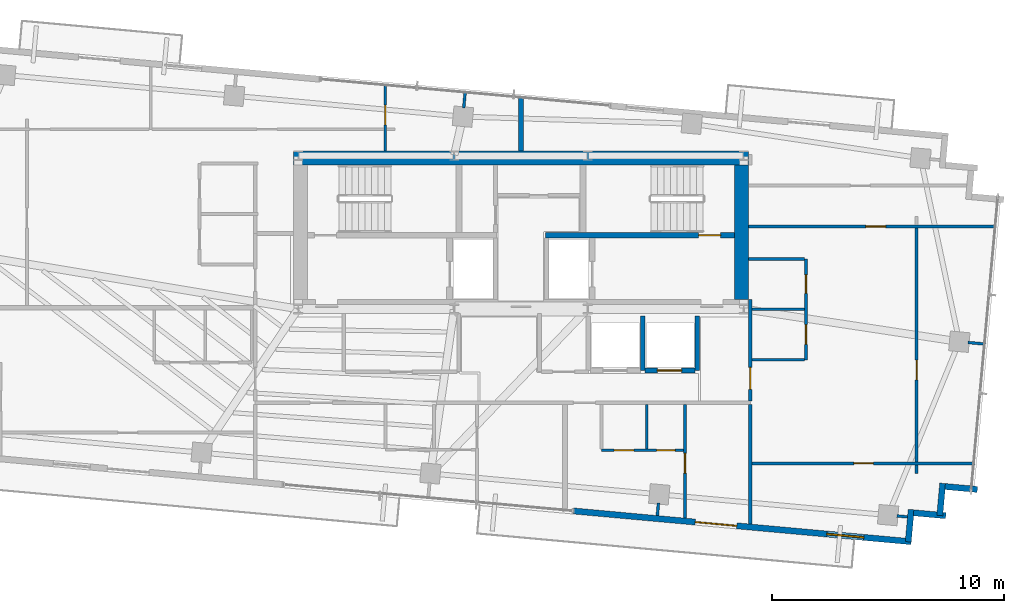
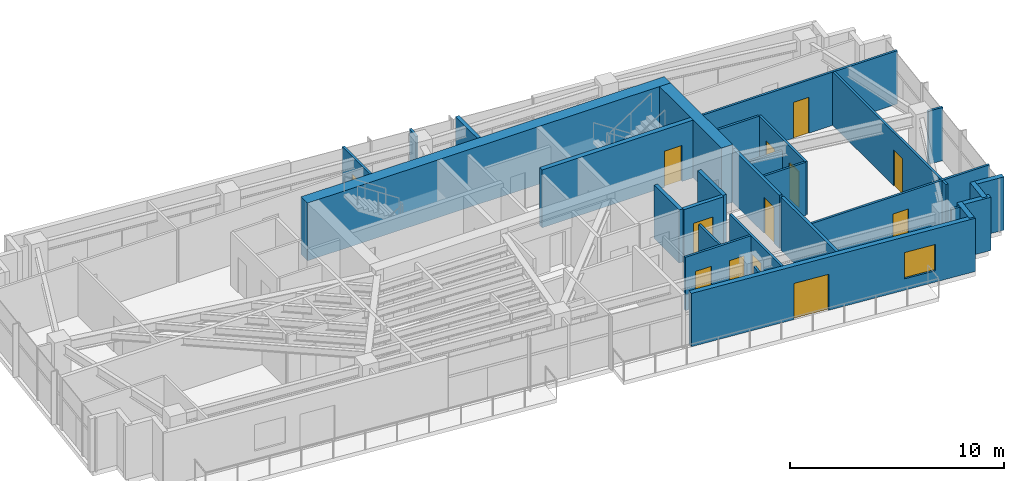
# One storey, part 18 of 22: 30 walls, 13 doors, 1 window, 14 openings.
"""IFC4 building model written with IfcOpenShell, lengths in metres."""

from ifc_helpers import new_model, si_unit, direction, frame, frame_2d, origin, place, context, subcontext, project, spatial, rectangle, extrude, source, transform, mapped, material, layer, layer_set, type_object, type_shapes, element, fill, save


model = new_model("IFC4")

# Units and contexts
model_context = context("Model", 3, precision=1e-05, world=origin(), true_north=direction((0.0, 1.0)))
body_context = subcontext(model_context, "Body", "Model", "MODEL_VIEW")
ifc_project = project(units=[si_unit("LENGTHUNIT", "METRE"), si_unit("AREAUNIT", "SQUARE_METRE"), si_unit("VOLUMEUNIT", "CUBIC_METRE"), si_unit("PLANEANGLEUNIT", "RADIAN"), si_unit("MASSUNIT", "GRAM", prefix="KILO")], contexts=[model_context])

# Site, building, storey
site_placement = place(None, origin())
site = spatial("IfcSite", under=ifc_project, at=site_placement, CompositionType="ELEMENT")
building_placement = place(site_placement, origin())
building = spatial("IfcBuilding", under=site, at=building_placement, Name="Astriad Promenade Condominiums", CompositionType="ELEMENT")
storey_placement = place(building_placement, frame((0.0, 0.0, 226.5)))
storey = spatial("IfcBuildingStorey", under=building, at=storey_placement, Name="L65", CompositionType="ELEMENT", Elevation=226.5)

# Walls
ifc_material_1 = material(Name="Concrete C50/60", Category="concrete")
ifc_layer_1 = layer(ifc_material_1, 0.60009765625)
ifc_layer_set_1 = layer_set([ifc_layer_1], Name="Concrete C50/60")
wall_type_1 = type_object("IfcWallType", Name="CW-SHEAR-600", PredefinedType="SHEAR", material=ifc_layer_set_1)
wall_1_placement = place(storey_placement, frame((26.199951171875, 23.89990234375, 0.0), z_axis=(0.0, 0.0, 1.0), x_axis=(1.0, 0.0, 0.0)))
element("IfcWall", 1, at=wall_1_placement, inside=storey, type_object=wall_type_1, Name="CW-CORE-N-L65", PredefinedType="SHEAR", context=body_context, shape_type="SweptSolid", body=[
    extrude(rectangle(XDim=19.60009765625, YDim=0.60009765625, at=frame_2d((9.800048828125, 0.0))), origin(), (0.0, 0.0, 1.0), 3.300048828125),
])
wall_2_placement = place(storey_placement, frame((45.5, 17.802001953125, 0.0), z_axis=(0.0, 0.0, 1.0), x_axis=(0.0, 1.0, 0.0)))
element("IfcWall", 2, at=wall_2_placement, inside=storey, type_object=wall_type_1, Name="CW-CORE-E-L65", PredefinedType="SHEAR", context=body_context, shape_type="SweptSolid", body=[
    extrude(rectangle(XDim=5.7958984375, YDim=0.60009765625, at=frame_2d((2.89794921875, 0.0))), origin(), (0.0, 0.0, 1.0), 3.300048828125),
])

# Wall, opening, door
ifc_layer_2 = layer(ifc_material_1, 0.25)
ifc_layer_set_2 = layer_set([ifc_layer_2], Name="Concrete C50/60")
wall_type_2 = type_object("IfcWallType", Name="WALL-CORE-INT-250", PredefinedType="SOLIDWALL", material=ifc_layer_set_2)
wall_3_placement = place(storey_placement, frame((37.050048828125, 20.574951171875, 0.0), z_axis=(0.0, 0.0, 1.0), x_axis=(1.0, 0.0, 0.0)))
wall_3 = element("IfcWall", 3, at=wall_3_placement, inside=storey, type_object=wall_type_2, Name="CW-INT-H2-L65", PredefinedType="SOLIDWALL", context=body_context, shape_type="SweptSolid", body=[
    extrude(rectangle(XDim=8.14794921875, YDim=0.25, at=frame_2d((4.073974609375, 0.0))), origin(), (0.0, 0.0, 1.0), 3.300048828125),
])
opening_1_placement = place(wall_3_placement, frame((6.60009765625, 0.0, 0.0)))
opening_1 = element("IfcOpeningElement", 4, at=opening_1_placement, cuts=wall_3, Name="Opening FD90-ST-095", PredefinedType="OPENING", context=body_context, shape_type="SweptSolid", body=[
    extrude(rectangle(XDim=0.949951171875, YDim=2.06005859375, at=frame_2d((0.47509765625, 1.030029296875))), frame((0.0, 0.135009765625, 0.0), z_axis=(0.0, -1.0, 0.0), x_axis=(1.0, 0.0, 0.0)), (0.0, 0.0, 1.0), 0.27001953125),
])
ifc_material_2 = material(Name="Fire-Rated Hollow Metal Stair Door")
door_type_1 = type_object("IfcDoorType", Name="FD90-ST-095", OperationType="NOTDEFINED", PredefinedType="DOOR", material=ifc_material_2)
shared_shape_1 = source(origin(), body_context, "Body", "SweptSolid", [
    extrude(rectangle(XDim=0.949951171875, YDim=2.06005859375, at=frame_2d((0.47509765625, 1.030029296875))), frame((0.0, 0.02490234375, 0.0), z_axis=(0.0, -1.0, 0.0), x_axis=(1.0, 0.0, 0.0)), (0.0, 0.0, 1.0), 0.050048828125),
])
type_shapes(door_type_1, [shared_shape_1])
door_1_placement = place(opening_1_placement, origin())
door_1 = element("IfcDoor", 5, at=door_1_placement, inside=storey, type_object=door_type_1, Name="D-ST2-L65", OperationType="SINGLE_SWING_RIGHT", OverallHeight=2.06005859375, OverallWidth=0.949951171875, PredefinedType="DOOR", context=body_context, shape_type="MappedRepresentation", body=[
    mapped(shared_shape_1, transform((0.0, 0.0, 0.0), scale=1.0)),
])
fill(opening_1, door_1)

# Wall
ifc_material_3 = material(Name="Fire-Rated Gypsum Partition")
ifc_layer_3 = layer(ifc_material_3, 0.159912109375)
ifc_layer_set_3 = layer_set([ifc_layer_3], Name="Fire-Rated Gypsum Partition")
wall_type_3 = type_object("IfcWallType", Name="WALL-CORR-160", PredefinedType="PARTITIONING", material=ifc_layer_set_3)
wall_4_placement = place(storey_placement, frame((45.8798828125, 8.135986328125, 0.0), z_axis=(0.0, 0.0, 1.0), x_axis=(0.0, 1.0, 0.0)))
element("IfcWall", 6, at=wall_4_placement, inside=storey, type_object=wall_type_3, Name="PT-COR-E-L65", PredefinedType="PARTITIONING", context=body_context, shape_type="SweptSolid", body=[
    extrude(rectangle(XDim=5.14208984375, YDim=0.159912109375, at=frame_2d((2.571044921875, 0.0))), origin(), (0.0, 0.0, 1.0), 3.0400390625),
])

# Wall, opening, door
wall_5_placement = place(storey_placement, frame((45.8798828125, 13.44189453125, 0.0), z_axis=(0.0, 0.0, 1.0), x_axis=(0.0, 1.0, 0.0)))
wall_5 = element("IfcWall", 7, at=wall_5_placement, inside=storey, type_object=wall_type_3, Name="PT-COR-E-L65-S2", PredefinedType="PARTITIONING", context=body_context, shape_type="SweptSolid", body=[
    extrude(rectangle(XDim=4.360107421875, YDim=0.159912109375, at=frame_2d((2.18017578125, 0.0))), origin(), (0.0, 0.0, 1.0), 3.0400390625),
])
opening_2_placement = place(wall_5_placement, frame((0.492919921875, 0.0, 0.0)))
opening_2 = element("IfcOpeningElement", 8, at=opening_2_placement, cuts=wall_5, Name="Opening FD60-APT-095", PredefinedType="OPENING", context=body_context, shape_type="SweptSolid", body=[
    extrude(rectangle(XDim=0.949951171875, YDim=2.06005859375, at=frame_2d((0.47509765625, 1.030029296875))), frame((0.0, 0.08984375, 0.0), z_axis=(0.0, -1.0, 0.0), x_axis=(1.0, 0.0, 0.0)), (0.0, 0.0, 1.0), 0.179931640625),
])
ifc_material_4 = material(Name="Solid-Core Acoustic Timber Residence Entry Door", Category="wood")
door_type_2 = type_object("IfcDoorType", Name="FD60-APT-095", OperationType="NOTDEFINED", PredefinedType="DOOR", material=ifc_material_4)
shared_shape_2 = source(origin(), body_context, "Body", "SweptSolid", [
    extrude(rectangle(XDim=0.949951171875, YDim=2.06005859375, at=frame_2d((0.47509765625, 1.030029296875))), frame((0.0, 0.02490234375, 0.0), z_axis=(0.0, -1.0, 0.0), x_axis=(1.0, 0.0, 0.0)), (0.0, 0.0, 1.0), 0.050048828125),
])
type_shapes(door_type_2, [shared_shape_2])
door_2_placement = place(opening_2_placement, origin())
door_2 = element("IfcDoor", 9, at=door_2_placement, inside=storey, type_object=door_type_2, Name="D-ENT-L65-E1", OperationType="SINGLE_SWING_LEFT", OverallHeight=2.06005859375, OverallWidth=0.949951171875, PredefinedType="DOOR", context=body_context, shape_type="MappedRepresentation", body=[
    mapped(shared_shape_2, transform((0.0, 0.0, 0.0), scale=1.0)),
])
fill(opening_2, door_2)

# Walls
ifc_material_5 = material(Name="Acoustic Double-Stud Gypsum Partition")
ifc_layer_4 = layer(ifc_material_5, 0.199951171875)
ifc_layer_set_4 = layer_set([ifc_layer_4], Name="Acoustic Double-Stud Gypsum Partition")
wall_type_4 = type_object("IfcWallType", Name="WALL-DEMISING-200", PredefinedType="PARTITIONING", material=ifc_layer_set_4)
wall_6_placement = place(storey_placement, frame((36.0, 24.201904296875, 0.0), z_axis=(0.0, 0.0, 1.0), x_axis=(0.0, 1.0, 0.0)))
element("IfcWall", 10, at=wall_6_placement, inside=storey, type_object=wall_type_4, Name="PT-NC-MID-L65", PredefinedType="PARTITIONING", context=body_context, shape_type="SweptSolid", body=[
    extrude(rectangle(XDim=2.36328125, YDim=0.199951171875, at=frame_2d((1.181640625, 0.0))), origin(), (0.0, 0.0, 1.0), 3.0400390625),
])
ifc_material_6 = material(Name="Precast concrete C50/60", Category="concrete")
ifc_layer_5 = layer(ifc_material_6, 0.260009765625)
ifc_layer_set_5 = layer_set([ifc_layer_5], Name="Precast concrete C50/60")
wall_type_5 = type_object("IfcWallType", Name="WALL-EXT-TWR-260", PredefinedType="STANDARD", material=ifc_layer_set_5)
for number, where, z_axis, x_axis, name in (
    (11, (55.664794921875, 9.623291015625, 0.0), (0.0, 0.0, 1.0), (-0.995881721538, 0.090661991521, 0.0), "W-SER-L65-14"),
    (12, (54.1728515625, 9.889404296875, 0.0), (0.0, 0.0, 1.0), (-0.090661991521, -0.995881721538, 0.0), "W-SER-L65-15"),
):
    element("IfcWall", number, at=place(storey_placement, frame(where, z_axis=z_axis, x_axis=x_axis)), inside=storey, type_object=wall_type_5, Name=name, PredefinedType="STANDARD", context=body_context, shape_type="SweptSolid", body=[
        extrude(rectangle(XDim=1.39501953125, YDim=0.260009765625, at=frame_2d((0.697509765625, 0.0))), origin(), (0.0, 0.0, 1.0), 3.0400390625),
    ])
for number, where, z_axis, x_axis, name in (
    (13, (54.306884765625, 8.49169921875, 0.0), (0.0, 0.0, 1.0), (-0.995883159782, 0.090646191665, 0.0), "W-SER-L65-16"),
    (14, (52.814697265625, 8.758056640625, 0.0), (0.0, 0.0, 1.0), (-0.090646191665, -0.995883159782, 0.0), "W-SER-L65-17"),
):
    element("IfcWall", number, at=place(storey_placement, frame(where, z_axis=z_axis, x_axis=x_axis)), inside=storey, type_object=wall_type_5, Name=name, PredefinedType="STANDARD", context=body_context, shape_type="SweptSolid", body=[
        extrude(rectangle(XDim=1.395263671875, YDim=0.260009765625, at=frame_2d((0.69775390625, 0.0))), origin(), (0.0, 0.0, 1.0), 3.0400390625),
    ])

# Wall, openings, door, window
wall_7_placement = place(storey_placement, frame((52.819091796875, 7.371826171875, 0.0), z_axis=(0.0, 0.0, 1.0), x_axis=(-0.995884447498, 0.090632043071, 0.0)))
wall_7 = element("IfcWall", 15, at=wall_7_placement, inside=storey, type_object=wall_type_5, Name="W-EXT-L65-S1", PredefinedType="STANDARD", context=body_context, shape_type="SweptSolid", body=[
    extrude(rectangle(XDim=14.6298828125, YDim=0.260009765625, at=frame_2d((7.31494140625, 0.0))), origin(), (0.0, 0.0, 1.0), 3.0400390625),
])
opening_3_placement = place(wall_7_placement, frame((7.549072265625, 0.0, 0.0)))
opening_3 = element("IfcOpeningElement", 16, at=opening_3_placement, cuts=wall_7, Name="Opening BD-1822-SLD", PredefinedType="OPENING", context=body_context, shape_type="SweptSolid", body=[
    extrude(rectangle(XDim=1.800048828125, YDim=2.06005859375, at=frame_2d((0.89990234375, 1.030029296875))), frame((0.0, 0.139892578125, 0.0), z_axis=(0.0, -1.0, 0.0), x_axis=(1.0, 0.0, 0.0)), (0.0, 0.0, 1.0), 0.280029296875),
])
opening_4_placement = place(wall_7_placement, frame((2.050048828125, 0.0, 0.64990234375)))
opening_4 = element("IfcOpeningElement", 17, at=opening_4_placement, cuts=wall_7, Name="Opening WIN-TWR-1620", PredefinedType="OPENING", context=body_context, shape_type="SweptSolid", body=[
    extrude(rectangle(XDim=1.60009765625, YDim=1.5, at=frame_2d((0.800048828125, 0.75))), frame((0.0, 0.139892578125, 0.0), z_axis=(0.0, -1.0, 0.0), x_axis=(1.0, 0.0, 0.0)), (0.0, 0.0, 1.0), 0.280029296875),
])
ifc_material_7 = material(Name="Thermally Broken Aluminium Sliding Balcony Door", Category="aluminium")
door_type_3 = type_object("IfcDoorType", Name="BD-1822-SLD", OperationType="NOTDEFINED", PredefinedType="DOOR", material=ifc_material_7)
shared_shape_3 = source(origin(), body_context, "Body", "SweptSolid", [
    extrude(rectangle(XDim=1.800048828125, YDim=2.06005859375, at=frame_2d((0.89990234375, 1.030029296875))), frame((0.0, 0.02490234375, 0.0), z_axis=(0.0, -1.0, 0.0), x_axis=(1.0, 0.0, 0.0)), (0.0, 0.0, 1.0), 0.050048828125),
])
type_shapes(door_type_3, [shared_shape_3])
door_3_placement = place(opening_3_placement, origin())
door_3 = element("IfcDoor", 18, at=door_3_placement, inside=storey, type_object=door_type_3, Name="BD-L65-SE", OperationType="SLIDING_TO_RIGHT", OverallHeight=2.06005859375, OverallWidth=1.800048828125, PredefinedType="DOOR", context=body_context, shape_type="MappedRepresentation", body=[
    mapped(shared_shape_3, transform((0.0, 0.0, 0.0), scale=1.0)),
])
fill(opening_3, door_3)
ifc_material_8 = material(Name="Dark Tinted Triple-Glazed Aluminium Window", Category="aluminium")
window_type = type_object("IfcWindowType", Name="WIN-TWR-1620", PartitioningType="SINGLE_PANEL", PredefinedType="WINDOW", material=ifc_material_8)
shared_shape_4 = source(origin(), body_context, "Body", "SweptSolid", [
    extrude(rectangle(XDim=1.60009765625, YDim=1.5, at=frame_2d((0.800048828125, 0.75))), frame((0.0, 0.030029296875, 0.0), z_axis=(0.0, -1.0, 0.0), x_axis=(1.0, 0.0, 0.0)), (0.0, 0.0, 1.0), 0.06005859375),
])
type_shapes(window_type, [shared_shape_4])
window_placement = place(opening_4_placement, origin())
window = element("IfcWindow", 19, at=window_placement, inside=storey, type_object=window_type, Name="WIN-L65-SE", OverallHeight=1.5, OverallWidth=1.60009765625, PartitioningType="SINGLE_PANEL", PredefinedType="WINDOW", context=body_context, shape_type="MappedRepresentation", body=[
    mapped(shared_shape_4, transform((0.0, 0.0, 0.0), scale=1.0)),
])
fill(opening_4, window)

# Wall, opening, door
ifc_material_9 = material(Name="Acoustic Metal-Stud Gypsum Partition")
ifc_layer_6 = layer(ifc_material_9, 0.1201171875)
ifc_layer_set_6 = layer_set([ifc_layer_6], Name="Acoustic Metal-Stud Gypsum Partition")
wall_type_6 = type_object("IfcWallType", Name="WALL-PART-120", PredefinedType="PARTITIONING", material=ifc_layer_set_6)
wall_8_placement = place(storey_placement, frame((43.068115234375, 8.391845703125, 0.0), z_axis=(0.0, 0.0, 1.0), x_axis=(0.0, 1.0, 0.0)))
wall_8 = element("IfcWall", 20, at=wall_8_placement, inside=storey, type_object=wall_type_6, Name="PT-L65-S2-V1", PredefinedType="PARTITIONING", context=body_context, shape_type="SweptSolid", body=[
    extrude(rectangle(XDim=4.88623046875, YDim=0.1201171875, at=frame_2d((2.443115234375, 0.0))), origin(), (0.0, 0.0, 1.0), 3.0400390625),
])
opening_5_placement = place(wall_8_placement, frame((1.93994140625, 0.0, 0.0)))
opening_5 = element("IfcOpeningElement", 21, at=opening_5_placement, cuts=wall_8, Name="Opening D-INT-085", PredefinedType="OPENING", context=body_context, shape_type="SweptSolid", body=[
    extrude(rectangle(XDim=0.85009765625, YDim=2.050048828125, at=frame_2d((0.425048828125, 1.02490234375))), frame((0.0, 0.070068359375, 0.0), z_axis=(0.0, -1.0, 0.0), x_axis=(1.0, 0.0, 0.0)), (0.0, 0.0, 1.0), 0.14013671875),
])
ifc_material_10 = material(Name="Painted Solid-Core Timber Room Door", Category="wood")
door_type_4 = type_object("IfcDoorType", Name="D-INT-085", OperationType="NOTDEFINED", PredefinedType="DOOR", material=ifc_material_10)
shared_shape_5 = source(origin(), body_context, "Body", "SweptSolid", [
    extrude(rectangle(XDim=0.85009765625, YDim=2.050048828125, at=frame_2d((0.425048828125, 1.02490234375))), frame((0.0, 0.02490234375, 0.0), z_axis=(0.0, -1.0, 0.0), x_axis=(1.0, 0.0, 0.0)), (0.0, 0.0, 1.0), 0.050048828125),
])
type_shapes(door_type_4, [shared_shape_5])
door_4_placement = place(opening_5_placement, origin())
door_4 = element("IfcDoor", 22, at=door_4_placement, inside=storey, type_object=door_type_4, Name="D-BD1-L65-S2", OperationType="SINGLE_SWING_RIGHT", OverallHeight=2.050048828125, OverallWidth=0.85009765625, PredefinedType="DOOR", context=body_context, shape_type="MappedRepresentation", body=[
    mapped(shared_shape_5, transform((0.0, 0.0, 0.0), scale=1.0)),
])
fill(opening_5, door_4)

# Wall, openings, doors
wall_9_placement = place(storey_placement, frame((39.468017578125, 11.31005859375, 0.0), z_axis=(0.0, 0.0, 1.0), x_axis=(1.0, 0.0, 0.0)))
wall_9 = element("IfcWall", 23, at=wall_9_placement, inside=storey, type_object=wall_type_6, Name="PT-L65-S2-PS", PredefinedType="PARTITIONING", context=body_context, shape_type="SweptSolid", body=[
    extrude(rectangle(XDim=3.5380859375, YDim=0.1201171875, at=frame_2d((1.76904296875, 0.0))), origin(), (0.0, 0.0, 1.0), 3.0400390625),
])
opening_6_placement = place(wall_9_placement, frame((0.550048828125, 0.0, 0.0)))
opening_6 = element("IfcOpeningElement", 24, at=opening_6_placement, cuts=wall_9, Name="Opening D-INT-085", PredefinedType="OPENING", context=body_context, shape_type="SweptSolid", body=[
    extrude(rectangle(XDim=0.85009765625, YDim=2.050048828125, at=frame_2d((0.425048828125, 1.02490234375))), frame((0.0, 0.070068359375, 0.0), z_axis=(0.0, -1.0, 0.0), x_axis=(1.0, 0.0, 0.0)), (0.0, 0.0, 1.0), 0.14013671875),
])
opening_7_placement = place(wall_9_placement, frame((2.375, 0.0, 0.0)))
opening_7 = element("IfcOpeningElement", 25, at=opening_7_placement, cuts=wall_9, Name="Opening D-WET-080", PredefinedType="OPENING", context=body_context, shape_type="SweptSolid", body=[
    extrude(rectangle(XDim=0.800048828125, YDim=2.02001953125, at=frame_2d((0.39990234375, 1.010009765625))), frame((0.0, 0.070068359375, 0.0), z_axis=(0.0, -1.0, 0.0), x_axis=(1.0, 0.0, 0.0)), (0.0, 0.0, 1.0), 0.14013671875),
])
ifc_material_11 = material(Name="Moisture-Resistant Timber Bathroom Door", Category="wood")
door_type_5 = type_object("IfcDoorType", Name="D-WET-080", OperationType="NOTDEFINED", PredefinedType="DOOR", material=ifc_material_11)
shared_shape_6 = source(origin(), body_context, "Body", "SweptSolid", [
    extrude(rectangle(XDim=0.800048828125, YDim=2.02001953125, at=frame_2d((0.39990234375, 1.010009765625))), frame((0.0, 0.02490234375, 0.0), z_axis=(0.0, -1.0, 0.0), x_axis=(1.0, 0.0, 0.0)), (0.0, 0.0, 1.0), 0.050048828125),
])
type_shapes(door_type_5, [shared_shape_6])
door_5_placement = place(opening_7_placement, origin())
door_5 = element("IfcDoor", 26, at=door_5_placement, inside=storey, type_object=door_type_5, Name="D-BTH-L65-S2", OperationType="SINGLE_SWING_RIGHT", OverallHeight=2.02001953125, OverallWidth=0.800048828125, PredefinedType="DOOR", context=body_context, shape_type="MappedRepresentation", body=[
    mapped(shared_shape_6, transform((0.0, 0.0, 0.0), scale=1.0)),
])
fill(opening_7, door_5)
door_6_placement = place(opening_6_placement, origin())
door_6 = element("IfcDoor", 27, at=door_6_placement, inside=storey, type_object=door_type_4, Name="D-KIT-L65-S2", OperationType="SINGLE_SWING_LEFT", OverallHeight=2.050048828125, OverallWidth=0.85009765625, PredefinedType="DOOR", context=body_context, shape_type="MappedRepresentation", body=[
    mapped(shared_shape_5, transform((0.0, 0.0, 0.0), scale=1.0)),
])
fill(opening_6, door_6)

# Wall
wall_10_placement = place(storey_placement, frame((41.41796875, 11.3720703125, 0.0), z_axis=(0.0, 0.0, 1.0), x_axis=(0.0, 1.0, 0.0)))
element("IfcWall", 28, at=wall_10_placement, inside=storey, type_object=wall_type_6, Name="PT-L65-S2-PB", PredefinedType="PARTITIONING", context=body_context, shape_type="SweptSolid", body=[
    extrude(rectangle(XDim=1.906005859375, YDim=0.1201171875, at=frame_2d((0.953125, 0.0))), origin(), (0.0, 0.0, 1.0), 3.0400390625),
])

# Wall, opening, door
wall_11_placement = place(storey_placement, frame((30.14990234375, 24.201904296875, 0.0), z_axis=(0.0, 0.0, 1.0), x_axis=(0.0, 1.0, 0.0)))
wall_11 = element("IfcWall", 29, at=wall_11_placement, inside=storey, type_object=wall_type_6, Name="PT-L65-W2-NC", PredefinedType="PARTITIONING", context=body_context, shape_type="SweptSolid", body=[
    extrude(rectangle(XDim=2.895751953125, YDim=0.1201171875, at=frame_2d((1.44775390625, 0.0))), origin(), (0.0, 0.0, 1.0), 3.0400390625),
])
opening_8_placement = place(wall_11_placement, frame((1.1279296875, 0.0, 0.0)))
opening_8 = element("IfcOpeningElement", 30, at=opening_8_placement, cuts=wall_11, Name="Opening D-INT-085", PredefinedType="OPENING", context=body_context, shape_type="SweptSolid", body=[
    extrude(rectangle(XDim=0.85009765625, YDim=2.050048828125, at=frame_2d((0.425048828125, 1.02490234375))), frame((0.0, 0.070068359375, 0.0), z_axis=(0.0, -1.0, 0.0), x_axis=(1.0, 0.0, 0.0)), (0.0, 0.0, 1.0), 0.14013671875),
])
door_7_placement = place(opening_8_placement, origin())
door_7 = element("IfcDoor", 31, at=door_7_placement, inside=storey, type_object=door_type_4, Name="D-NC-L65-W2", OperationType="SINGLE_SWING_LEFT", OverallHeight=2.050048828125, OverallWidth=0.85009765625, PredefinedType="DOOR", context=body_context, shape_type="MappedRepresentation", body=[
    mapped(shared_shape_5, transform((0.0, 0.0, 0.0), scale=1.0)),
])
fill(opening_8, door_7)

# Wall, openings, doors
wall_12_placement = place(storey_placement, frame((48.280029296875, 15.2099609375, 0.0), z_axis=(0.0, 0.0, 1.0), x_axis=(0.0, 1.0, 0.0)))
wall_12 = element("IfcWall", 32, at=wall_12_placement, inside=storey, type_object=wall_type_6, Name="PT-L65-E1-PV", PredefinedType="PARTITIONING", context=body_context, shape_type="SweptSolid", body=[
    extrude(rectangle(XDim=4.35009765625, YDim=0.1201171875, at=frame_2d((2.175048828125, 0.0))), origin(), (0.0, 0.0, 1.0), 3.0400390625),
])
opening_9_placement = place(wall_12_placement, frame((0.662109375, 0.0, 0.0)))
opening_9 = element("IfcOpeningElement", 33, at=opening_9_placement, cuts=wall_12, Name="Opening D-INT-085", PredefinedType="OPENING", context=body_context, shape_type="SweptSolid", body=[
    extrude(rectangle(XDim=0.85009765625, YDim=2.050048828125, at=frame_2d((0.425048828125, 1.02490234375))), frame((0.0, 0.070068359375, 0.0), z_axis=(0.0, -1.0, 0.0), x_axis=(1.0, 0.0, 0.0)), (0.0, 0.0, 1.0), 0.14013671875),
])
opening_10_placement = place(wall_12_placement, frame((2.863037109375, 0.0, 0.0)))
opening_10 = element("IfcOpeningElement", 34, at=opening_10_placement, cuts=wall_12, Name="Opening D-WET-080", PredefinedType="OPENING", context=body_context, shape_type="SweptSolid", body=[
    extrude(rectangle(XDim=0.800048828125, YDim=2.02001953125, at=frame_2d((0.39990234375, 1.010009765625))), frame((0.0, 0.070068359375, 0.0), z_axis=(0.0, -1.0, 0.0), x_axis=(1.0, 0.0, 0.0)), (0.0, 0.0, 1.0), 0.14013671875),
])
door_8_placement = place(opening_10_placement, origin())
door_8 = element("IfcDoor", 35, at=door_8_placement, inside=storey, type_object=door_type_5, Name="D-BTH-L65-E1", OperationType="SINGLE_SWING_LEFT", OverallHeight=2.02001953125, OverallWidth=0.800048828125, PredefinedType="DOOR", context=body_context, shape_type="MappedRepresentation", body=[
    mapped(shared_shape_6, transform((0.0, 0.0, 0.0), scale=1.0)),
])
fill(opening_10, door_8)
door_9_placement = place(opening_9_placement, origin())
door_9 = element("IfcDoor", 36, at=door_9_placement, inside=storey, type_object=door_type_4, Name="D-KIT-L65-E1", OperationType="SINGLE_SWING_RIGHT", OverallHeight=2.050048828125, OverallWidth=0.85009765625, PredefinedType="DOOR", context=body_context, shape_type="MappedRepresentation", body=[
    mapped(shared_shape_5, transform((0.0, 0.0, 0.0), scale=1.0)),
])
fill(opening_9, door_9)

# Walls
wall_13_placement = place(storey_placement, frame((45.9619140625, 17.385009765625, 0.0), z_axis=(0.0, 0.0, 1.0), x_axis=(1.0, 0.0, 0.0)))
element("IfcWall", 37, at=wall_13_placement, inside=storey, type_object=wall_type_6, Name="PT-L65-E1-PM", PredefinedType="PARTITIONING", context=body_context, shape_type="SweptSolid", body=[
    extrude(rectangle(XDim=2.256103515625, YDim=0.1201171875, at=frame_2d((1.1279296875, 0.0))), origin(), (0.0, 0.0, 1.0), 2.38134765625),
])
wall_14_placement = place(storey_placement, frame((45.9619140625, 15.2099609375, 0.0), z_axis=(0.0, 0.0, 1.0), x_axis=(1.0, 0.0, 0.0)))
element("IfcWall", 38, at=wall_14_placement, inside=storey, type_object=wall_type_6, Name="PT-L65-E1-PS", PredefinedType="PARTITIONING", context=body_context, shape_type="SweptSolid", body=[
    extrude(rectangle(XDim=2.256103515625, YDim=0.1201171875, at=frame_2d((1.1279296875, 0.0))), origin(), (0.0, 0.0, 1.0), 3.0400390625),
])
wall_15_placement = place(storey_placement, frame((45.802001953125, 19.56005859375, 0.0), z_axis=(0.0, 0.0, 1.0), x_axis=(1.0, 0.0, 0.0)))
element("IfcWall", 39, at=wall_15_placement, inside=storey, type_object=wall_type_6, Name="PT-L65-E1-PN", PredefinedType="PARTITIONING", context=body_context, shape_type="SweptSolid", body=[
    extrude(rectangle(XDim=2.416015625, YDim=0.1201171875, at=frame_2d((1.2080078125, 0.0))), origin(), (0.0, 0.0, 1.0), 3.0400390625),
])

# Wall, opening, door
wall_16_placement = place(storey_placement, frame((45.9619140625, 10.74609375, 0.0), z_axis=(0.0, 0.0, 1.0), x_axis=(1.0, 0.0, 0.0)))
wall_16 = element("IfcWall", 40, at=wall_16_placement, inside=storey, type_object=wall_type_6, Name="PT-L65-E1-WDS2", PredefinedType="PARTITIONING", context=body_context, shape_type="SweptSolid", body=[
    extrude(rectangle(XDim=9.59423828125, YDim=0.1201171875, at=frame_2d((4.797119140625, 0.0))), origin(), (0.0, 0.0, 1.0), 3.0400390625),
])
opening_11_placement = place(wall_16_placement, frame((4.3779296875, 0.0, 0.0)))
opening_11 = element("IfcOpeningElement", 41, at=opening_11_placement, cuts=wall_16, Name="Opening D-INT-085", PredefinedType="OPENING", context=body_context, shape_type="SweptSolid", body=[
    extrude(rectangle(XDim=0.85009765625, YDim=2.050048828125, at=frame_2d((0.425048828125, 1.02490234375))), frame((0.0, 0.070068359375, 0.0), z_axis=(0.0, -1.0, 0.0), x_axis=(1.0, 0.0, 0.0)), (0.0, 0.0, 1.0), 0.14013671875),
])
door_10_placement = place(opening_11_placement, origin())
door_10 = element("IfcDoor", 42, at=door_10_placement, inside=storey, type_object=door_type_4, Name="D-WDS2-L65-E1", OperationType="SINGLE_SWING_LEFT", OverallHeight=2.050048828125, OverallWidth=0.85009765625, PredefinedType="DOOR", context=body_context, shape_type="MappedRepresentation", body=[
    mapped(shared_shape_5, transform((0.0, 0.0, 0.0), scale=1.0)),
])
fill(opening_11, door_10)

wall_17_placement = place(storey_placement, frame((45.802001953125, 20.9541015625, 0.0), z_axis=(0.0, 0.0, 1.0), x_axis=(1.0, 0.0, 0.0)))
wall_17 = element("IfcWall", 43, at=wall_17_placement, inside=storey, type_object=wall_type_6, Name="PT-L65-E1-WDN3", PredefinedType="PARTITIONING", context=body_context, shape_type="SweptSolid", body=[
    extrude(rectangle(XDim=10.68310546875, YDim=0.1201171875, at=frame_2d((5.341552734375, 0.0))), origin(), (0.0, 0.0, 1.0), 3.0400390625),
])
opening_12_placement = place(wall_17_placement, frame((5.06201171875, 0.0, 0.0)))
opening_12 = element("IfcOpeningElement", 44, at=opening_12_placement, cuts=wall_17, Name="Opening D-INT-085", PredefinedType="OPENING", context=body_context, shape_type="SweptSolid", body=[
    extrude(rectangle(XDim=0.85009765625, YDim=2.050048828125, at=frame_2d((0.425048828125, 1.02490234375))), frame((0.0, 0.070068359375, 0.0), z_axis=(0.0, -1.0, 0.0), x_axis=(1.0, 0.0, 0.0)), (0.0, 0.0, 1.0), 0.14013671875),
])
door_11_placement = place(opening_12_placement, origin())
door_11 = element("IfcDoor", 45, at=door_11_placement, inside=storey, type_object=door_type_4, Name="D-WDN3-L65-E1", OperationType="SINGLE_SWING_RIGHT", OverallHeight=2.050048828125, OverallWidth=0.85009765625, PredefinedType="DOOR", context=body_context, shape_type="MappedRepresentation", body=[
    mapped(shared_shape_5, transform((0.0, 0.0, 0.0), scale=1.0)),
])
fill(opening_12, door_11)

# Wall
wall_18_placement = place(storey_placement, frame((53.047119140625, 10.305908203125, 0.0), z_axis=(0.0, 0.0, 1.0), x_axis=(0.0, 1.0, 0.0)))
element("IfcWall", 46, at=wall_18_placement, inside=storey, type_object=wall_type_6, Name="PT-L65-E1-WDV4", PredefinedType="PARTITIONING", context=body_context, shape_type="SweptSolid", body=[
    extrude(rectangle(XDim=0.378173828125, YDim=0.1201171875, at=frame_2d((0.18896484375, 0.0))), origin(), (0.0, 0.0, 1.0), 3.0400390625),
])

# Wall, opening, door
wall_19_placement = place(storey_placement, frame((53.047119140625, 10.80810546875, 0.0), z_axis=(0.0, 0.0, 1.0), x_axis=(0.0, 1.0, 0.0)))
wall_19 = element("IfcWall", 47, at=wall_19_placement, inside=storey, type_object=wall_type_6, Name="PT-L65-E1-WDV4-S2", PredefinedType="PARTITIONING", context=body_context, shape_type="SweptSolid", body=[
    extrude(rectangle(XDim=10.083984375, YDim=0.1201171875, at=frame_2d((5.0419921875, 0.0))), origin(), (0.0, 0.0, 1.0), 3.0400390625),
])
opening_13_placement = place(wall_19_placement, frame((3.5400390625, 0.0, 0.0)))
opening_13 = element("IfcOpeningElement", 48, at=opening_13_placement, cuts=wall_19, Name="Opening D-INT-085", PredefinedType="OPENING", context=body_context, shape_type="SweptSolid", body=[
    extrude(rectangle(XDim=0.85009765625, YDim=2.050048828125, at=frame_2d((0.425048828125, 1.02490234375))), frame((0.0, 0.070068359375, 0.0), z_axis=(0.0, -1.0, 0.0), x_axis=(1.0, 0.0, 0.0)), (0.0, 0.0, 1.0), 0.14013671875),
])
door_12_placement = place(opening_13_placement, origin())
door_12 = element("IfcDoor", 49, at=door_12_placement, inside=storey, type_object=door_type_4, Name="D-WDV4-L65-E1", OperationType="SINGLE_SWING_LEFT", OverallHeight=2.050048828125, OverallWidth=0.85009765625, PredefinedType="DOOR", context=body_context, shape_type="MappedRepresentation", body=[
    mapped(shared_shape_5, transform((0.0, 0.0, 0.0), scale=1.0)),
])
fill(opening_13, door_12)

# Walls
wall_20_placement = place(storey_placement, frame((41.92529296875, 9.0361328125, 0.0), z_axis=(0.0, 0.0, 1.0), x_axis=(-0.090740281653, -0.995874591144, 0.0)))
element("IfcWall", 50, at=wall_20_placement, inside=storey, type_object=wall_type_6, Name="PT-PIL-L65-PC04-11", PredefinedType="PARTITIONING", context=body_context, shape_type="SweptSolid", body=[
    extrude(rectangle(XDim=0.5380859375, YDim=0.1201171875, at=frame_2d((0.26904296875, 0.0))), origin(), (0.0, 0.0, 1.0), 3.0400390625),
])
wall_21_placement = place(storey_placement, frame((52.197265625, 8.48291015625, 0.0), z_axis=(0.0, 0.0, 1.0), x_axis=(0.995884462012, -0.090631883588, 0.0)))
element("IfcWall", 51, at=wall_21_placement, inside=storey, type_object=wall_type_6, Name="PT-PIL-L65-PC05-12", PredefinedType="PARTITIONING", context=body_context, shape_type="SweptSolid", body=[
    extrude(rectangle(XDim=0.4580078125, YDim=0.1201171875, at=frame_2d((0.22900390625, 0.0))), origin(), (0.0, 0.0, 1.0), 3.0400390625),
])
wall_22_placement = place(storey_placement, frame((33.5341796875, 26.066650390625, 0.0), z_axis=(0.0, 0.0, 1.0), x_axis=(0.090535746043, 0.995893206468, 0.0)))
element("IfcWall", 52, at=wall_22_placement, inside=storey, type_object=wall_type_6, Name="PT-PIL-L65-PC08-15", PredefinedType="PARTITIONING", context=body_context, shape_type="SweptSolid", body=[
    extrude(rectangle(XDim=0.719970703125, YDim=0.1201171875, at=frame_2d((0.35986328125, 0.0))), origin(), (0.0, 0.0, 1.0), 3.0400390625),
])
wall_23_placement = place(storey_placement, frame((55.26708984375, 15.955322265625, 0.0), z_axis=(0.0, 0.0, 1.0), x_axis=(0.995887938321, -0.09059367697, 0.0)))
element("IfcWall", 53, at=wall_23_placement, inside=storey, type_object=wall_type_6, Name="PT-PIL-L65-PC12-19", PredefinedType="PARTITIONING", context=body_context, shape_type="SweptSolid", body=[
    extrude(rectangle(XDim=0.760009765625, YDim=0.1201171875, at=frame_2d((0.3798828125, 0.0))), origin(), (0.0, 0.0, 1.0), 3.0400390625),
])
ifc_material_12 = material(Name="Gypsum Shaftliner Assembly")
ifc_layer_7 = layer(ifc_material_12, 0.199951171875)
ifc_layer_set_7 = layer_set([ifc_layer_7], Name="Gypsum Shaftliner Assembly")
wall_type_7 = type_object("IfcWallType", Name="WALL-SHAFT-200", PredefinedType="PARTITIONING", material=ifc_layer_set_7)
for number, where, z_axis, x_axis, name in (
    (54, (41.25, 14.75, 0.0), (0.0, 0.0, 1.0), (0.0, 1.0, 0.0), "PL-H-DIV-L65"),
    (55, (43.60009765625, 14.75, 0.0), (0.0, 0.0, 1.0), (0.0, 1.0, 0.0), "PL-E-OUT-L65"),
):
    element("IfcWall", number, at=place(storey_placement, frame(where, z_axis=z_axis, x_axis=x_axis)), inside=storey, type_object=wall_type_7, Name=name, PredefinedType="PARTITIONING", context=body_context, shape_type="SweptSolid", body=[
        extrude(rectangle(XDim=2.35009765625, YDim=0.199951171875, at=frame_2d((1.175048828125, 0.0))), origin(), (0.0, 0.0, 1.0), 3.0400390625),
    ])

# Wall, opening, door
wall_24_placement = place(storey_placement, frame((41.35205078125, 14.75, 0.0), z_axis=(0.0, 0.0, 1.0), x_axis=(1.0, 0.0, 0.0)))
wall_24 = element("IfcWall", 56, at=wall_24_placement, inside=storey, type_object=wall_type_7, Name="PL-H-FRT-L65-S2", PredefinedType="PARTITIONING", context=body_context, shape_type="SweptSolid", body=[
    extrude(rectangle(XDim=2.14599609375, YDim=0.199951171875, at=frame_2d((1.072998046875, 0.0))), origin(), (0.0, 0.0, 1.0), 3.0400390625),
])
opening_14_placement = place(wall_24_placement, frame((0.52294921875, 0.0, 0.0)))
opening_14 = element("IfcOpeningElement", 57, at=opening_14_placement, cuts=wall_24, Name="Opening LD-PL-10522", PredefinedType="OPENING", context=body_context, shape_type="SweptSolid", body=[
    extrude(rectangle(XDim=1.050048828125, YDim=2.080078125, at=frame_2d((0.52490234375, 1.0400390625))), frame((0.0, 0.10986328125, 0.0), z_axis=(0.0, -1.0, 0.0), x_axis=(1.0, 0.0, 0.0)), (0.0, 0.0, 1.0), 0.219970703125),
])
ifc_material_13 = material(Name="Brushed Bronze Passenger Elevator Landing Door")
door_type_6 = type_object("IfcDoorType", Name="LD-PL-10522", OperationType="NOTDEFINED", PredefinedType="DOOR", material=ifc_material_13)
shared_shape_7 = source(origin(), body_context, "Body", "SweptSolid", [
    extrude(rectangle(XDim=1.050048828125, YDim=2.080078125, at=frame_2d((0.52490234375, 1.0400390625))), frame((0.0, 0.02490234375, 0.0), z_axis=(0.0, -1.0, 0.0), x_axis=(1.0, 0.0, 0.0)), (0.0, 0.0, 1.0), 0.050048828125),
])
type_shapes(door_type_6, [shared_shape_7])
door_13_placement = place(opening_14_placement, origin())
door_13 = element("IfcDoor", 58, at=door_13_placement, inside=storey, type_object=door_type_6, Name="Elevator Landing Door PL-H2 (L65)", OperationType="SLIDING_TO_RIGHT", OverallHeight=2.080078125, OverallWidth=1.050048828125, PredefinedType="DOOR", context=body_context, shape_type="MappedRepresentation", body=[
    mapped(shared_shape_7, transform((0.0, 0.0, 0.0), scale=1.0)),
])
fill(opening_14, door_13)

save(model, "model.ifc")
